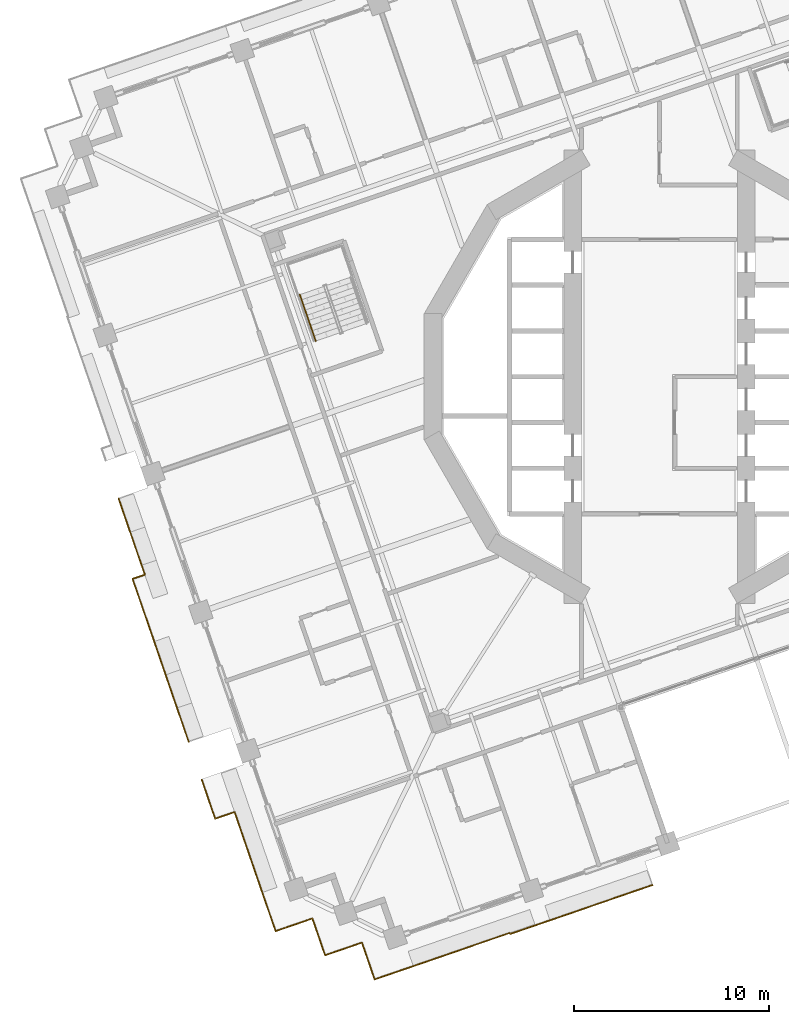
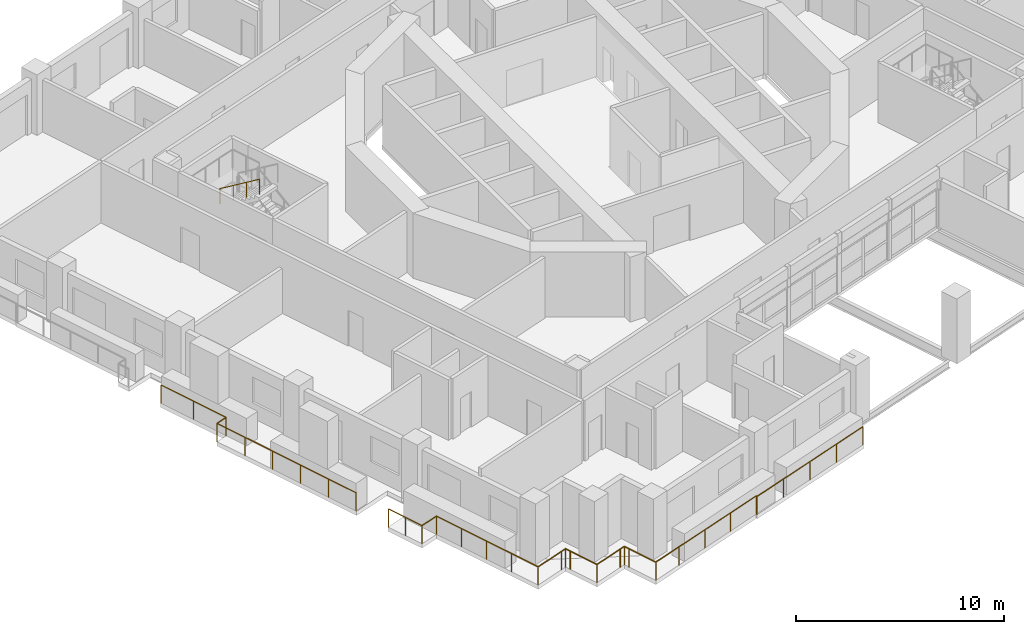
# One storey, part 16 of 22: 5 railings.
"""IFC4 building model written with IfcOpenShell, lengths in metres."""

import ifcopenshell
import ifcopenshell.guid

model = None  # the IFC model being written
_history = None  # IfcOwnerHistory: only IFC2X3 demands one
_inside = {}  # id of a spatial element -> (the spatial element, [elements in it])
_under = {}  # id of a project, library or spatial element -> (it, [spatial elements below it])
_declared = {}  # id of a project -> (the project, [libraries it declares])
_typed = {}  # id of a type object -> (the type object, [elements of that type])
_made_of = {}  # id of a material, layer set ... -> (it, [elements and type objects made of it])


def new_model(schema):
    """Start an empty IFC model of exactly this schema.

    Asked for "IFC4X3", IfcOpenShell would pick the latest addendum, in which some entities
    have other attributes; the version numbers below select the first issue.
    IFC2X3 requires an IfcOwnerHistory on every rooted entity: one is made here for all.
    """
    global model, _history
    if schema == "IFC4X3":
        model = ifcopenshell.file(schema_version=(4, 3, 0, 0))
    else:
        model = ifcopenshell.file(schema=schema)
    _inside.clear()
    _under.clear()
    _declared.clear()
    _typed.clear()
    _made_of.clear()
    _history = None
    if model.schema == "IFC2X3":
        org = make("IfcOrganization", Name="unknown")
        user = make(
            "IfcPersonAndOrganization",
            ThePerson=make("IfcPerson", FamilyName="unknown"),
            TheOrganization=org,
        )
        app = make(
            "IfcApplication",
            ApplicationDeveloper=org,
            Version="unknown",
            ApplicationFullName="unknown",
            ApplicationIdentifier="unknown",
        )
        _history = make(
            "IfcOwnerHistory",
            OwningUser=user,
            OwningApplication=app,
            ChangeAction="ADDED",
            CreationDate=0,
        )
    return model


def make(cls, **values):
    """One entity of the class cls with the attributes given. An attribute that is None is left unset."""
    return model.create_entity(
        cls, **{name: value for name, value in values.items() if value is not None}
    )


def rooted(cls, **values):
    """An entity with a GlobalId (a new one), such as an element, a storey or a relation."""
    return make(cls, GlobalId=ifcopenshell.guid.new(), OwnerHistory=_history, **values)


def si_unit(unit_type, name, prefix=None):
    """IfcSIUnit, for example si_unit("LENGTHUNIT", "METRE", prefix="MILLI")."""
    return make("IfcSIUnit", UnitType=unit_type, Prefix=prefix, Name=name)


def assignment(units):
    """IfcUnitAssignment: the units of a project."""
    return None if units is None else make("IfcUnitAssignment", Units=units)


def point(xyz):
    """IfcCartesianPoint."""
    return None if xyz is None else make("IfcCartesianPoint", Coordinates=xyz)


def direction(xyz):
    """IfcDirection."""
    return None if xyz is None else make("IfcDirection", DirectionRatios=xyz)


def frame(location, z_axis=None, x_axis=None):
    """IfcAxis2Placement3D, a coordinate frame: its origin and axes. An axis left out is left unset."""
    return make(
        "IfcAxis2Placement3D",
        Location=point(location),
        Axis=direction(z_axis),
        RefDirection=direction(x_axis),
    )


def frame_2d(location, x_axis=None):
    """IfcAxis2Placement2D, a coordinate frame in the plane: its origin and x axis."""
    return make(
        "IfcAxis2Placement2D", Location=point(location), RefDirection=direction(x_axis)
    )


def origin():
    """The frame at (0, 0, 0) with its axes left unset."""
    return frame((0.0, 0.0, 0.0))


def origin_2d():
    """The frame at (0, 0) in the plane with its x axis left unset."""
    return frame_2d((0.0, 0.0))


def place(relative_to, where):
    """IfcLocalPlacement: puts the frame where relative to a parent placement (None: the world)."""
    return make(
        "IfcLocalPlacement", PlacementRelTo=relative_to, RelativePlacement=where
    )


def context(
    kind, dimensions, precision=None, world=None, true_north=None, identifier=None
):
    """IfcGeometricRepresentationContext, for example the 3D "Model" context."""
    return make(
        "IfcGeometricRepresentationContext",
        ContextIdentifier=identifier,
        ContextType=kind,
        CoordinateSpaceDimension=dimensions,
        Precision=precision,
        WorldCoordinateSystem=world,
        TrueNorth=true_north,
    )


def subcontext(parent, identifier, kind, view, scale=None):
    """IfcGeometricRepresentationSubContext, for example "Body" below "Model"."""
    return make(
        "IfcGeometricRepresentationSubContext",
        ContextIdentifier=identifier,
        ContextType=kind,
        ParentContext=parent,
        TargetScale=scale,
        TargetView=view,
    )


def project(units=None, contexts=None):
    """IfcProject with its units and contexts."""
    return rooted(
        "IfcProject",
        Name="project",
        RepresentationContexts=contexts,
        UnitsInContext=assignment(units),
    )


def spatial(cls, under=None, at=None, **own):
    """A site, building, storey or space (cls), placed at a placement, below another one or the project."""
    s = rooted(cls, ObjectPlacement=at, **own)
    if under is not None:
        _under.setdefault(under.id(), (under, []))[1].append(s)
    return s


def profile(cls, at=None, kind="AREA", **sizes):
    """A parametric profile (cls). Its sizes go by their IFC names, for example OverallWidth=200.0."""
    return make(cls, ProfileType=kind, Position=at, **sizes)


def circle(**sizes):
    """IfcCircleProfileDef."""
    return profile("IfcCircleProfileDef", **sizes)


def extrude(swept, where, along, depth):
    """IfcExtrudedAreaSolid: the profile swept, set in the frame where, extruded along a direction by depth."""
    return make(
        "IfcExtrudedAreaSolid",
        SweptArea=swept,
        Position=where,
        ExtrudedDirection=direction(along),
        Depth=depth,
    )


def shape(context_of_items, identifier, shape_type, items):
    """IfcShapeRepresentation: the items that make up one representation, for example the "Body"."""
    return make(
        "IfcShapeRepresentation",
        ContextOfItems=context_of_items,
        RepresentationIdentifier=identifier,
        RepresentationType=shape_type,
        Items=items,
    )


def material(Name=None, Category=None):
    """IfcMaterial."""
    return make("IfcMaterial", Name=Name, Category=Category)


def made_of(thing, what):
    """Note that an element or type object is made of a material, layer set ...; save() writes the relation."""
    if what is not None:
        _made_of.setdefault(what.id(), (what, []))[1].append(thing)
    return thing


def type_object(cls, material=None, **own):
    """A type object (cls), such as IfcWallType, which elements share."""
    return made_of(rooted(cls, **own), material)


def element(
    cls,
    number,
    at=None,
    inside=None,
    cuts=None,
    type_object=None,
    material=None,
    context=None,
    identifier="Body",
    shape_type=None,
    held_by="IfcProductDefinitionShape",
    body=None,
    shapes=None,
    **own,
):
    """One element of the class cls, such as IfcWall. Its Tag is "e" and its number.

    at: its placement. inside: the storey or other place that contains it. cuts: it is an
    opening in that element (IfcRelVoidsElement). A single representation is given by context,
    identifier, shape_type and body (its items); several are given by shapes. held_by: the class
    of the entity that holds the representations. save() writes the other relations.
    """
    e = rooted(cls, Tag="e%d" % number, ObjectPlacement=at, **own)
    if body is not None:
        shapes = [shape(context, identifier, shape_type, body)]
    if shapes is not None:
        e.Representation = make(held_by, Representations=shapes)
    if inside is not None:
        _inside.setdefault(inside.id(), (inside, []))[1].append(e)
    if cuts is not None:
        rooted(
            "IfcRelVoidsElement", RelatingBuildingElement=cuts, RelatedOpeningElement=e
        )
    if type_object is not None:
        _typed.setdefault(type_object.id(), (type_object, []))[1].append(e)
    return made_of(e, material)


def aggregate(whole, parts):
    """IfcRelAggregates: a whole, such as a stair, and the parts it consists of."""
    return rooted("IfcRelAggregates", RelatingObject=whole, RelatedObjects=parts)


def save(model, path):
    """Write the relations noted so far, then the file.

    IfcRelAggregates (storeys below a building ...), IfcRelContainedInSpatialStructure (elements
    in a storey), IfcRelDefinesByType, IfcRelAssociatesMaterial and IfcRelDeclares: one each for
    every whole, place, type object, material and project.
    """
    for whole, parts in _under.values():
        aggregate(whole, parts)
    for where, things in _inside.values():
        rooted(
            "IfcRelContainedInSpatialStructure",
            RelatedElements=things,
            RelatingStructure=where,
        )
    for kind, things in _typed.values():
        rooted("IfcRelDefinesByType", RelatedObjects=things, RelatingType=kind)
    for what, things in _made_of.values():
        rooted("IfcRelAssociatesMaterial", RelatedObjects=things, RelatingMaterial=what)
    for by, libraries in _declared.values():
        rooted("IfcRelDeclares", RelatingContext=by, RelatedDefinitions=libraries)
    model.write(path)


model = new_model("IFC4")

# Units and contexts
model_context = context("Model", 3, precision=1e-05, world=origin(), true_north=direction((0.0, 1.0)))
body_context = subcontext(model_context, "Body", "Model", "MODEL_VIEW")
ifc_project = project(units=[si_unit("LENGTHUNIT", "METRE"), si_unit("AREAUNIT", "SQUARE_METRE"), si_unit("VOLUMEUNIT", "CUBIC_METRE"), si_unit("PLANEANGLEUNIT", "RADIAN"), si_unit("MASSUNIT", "GRAM", prefix="KILO")], contexts=[model_context])

# Site, building, storey
site_placement = place(None, origin())
site = spatial("IfcSite", under=ifc_project, at=site_placement, CompositionType="ELEMENT")
building_placement = place(site_placement, origin())
building = spatial("IfcBuilding", under=site, at=building_placement, Name="Cantera Rosa Tower", CompositionType="ELEMENT")
storey_placement = place(building_placement, frame((0.0, 0.0, 107.89990234375)))
storey = spatial("IfcBuildingStorey", under=building, at=storey_placement, Name="L21", CompositionType="ELEMENT", Elevation=107.89990234375)

# Railings
ifc_material_1 = material(Name="Stainless steel and laminated glass", Category="steel")
railing_type_1 = type_object("IfcRailingType", Name="GUARD 1100", PredefinedType="BALUSTRADE", material=ifc_material_1)
railing_1_placement = place(storey_placement, frame((-18.098388671875, -27.9130859375, 0.0)))
element("IfcRailing", 1, at=railing_1_placement, inside=storey, type_object=railing_type_1, Name="GUARD L21-1", PredefinedType="BALUSTRADE", context=body_context, shape_type="SweptSolid", body=[
    extrude(circle(Radius=0.030029296875, at=origin_2d()), frame((0.0, 0.0, 1.070068359375), z_axis=(-0.945520918819, -0.325561349174, 0.0), x_axis=(0.325561349174, -0.945520918819, 0.0)), (0.0, 0.0, 1.0), 1.699951171875),
    extrude(circle(Radius=0.030029296875, at=origin_2d()), frame((-1.607421875, -0.553466796875, 1.070068359375), z_axis=(-0.325561349174, 0.945520918819, 0.0), x_axis=(-0.945520918819, -0.325561349174, 0.0)), (0.0, 0.0, 1.0), 1.699951171875),
    extrude(circle(Radius=0.030029296875, at=origin_2d()), frame((-2.160888671875, 1.053955078125, 1.070068359375), z_axis=(-0.325586514442, 0.94551225355, 0.0), x_axis=(-0.94551225355, -0.325586514442, 0.0)), (0.0, 0.0, 1.0), 4.76611328125),
    extrude(circle(Radius=0.030029296875, at=origin_2d()), frame((-3.712646484375, 5.560302734375, 1.070068359375), z_axis=(-0.945557453336, -0.325455223404, 0.0), x_axis=(0.325455223404, -0.945557453336, 0.0)), (0.0, 0.0, 1.0), 1.053955078125),
    extrude(circle(Radius=0.030029296875, at=origin_2d()), frame((-4.709228515625, 5.21728515625, 1.070068359375), z_axis=(-0.325523047431, 0.945534105991, 0.0), x_axis=(-0.945534105991, -0.325523047431, 0.0)), (0.0, 0.0, 1.0), 2.1240234375),
    extrude(circle(Radius=0.02490234375, at=origin_2d()), origin(), (0.0, 0.0, 1.0), 1.0400390625),
    extrude(circle(Radius=0.02490234375, at=origin_2d()), frame((-1.607421875, -0.553466796875, 0.0)), (0.0, 0.0, 1.0), 1.0400390625),
    extrude(circle(Radius=0.02490234375, at=origin_2d()), frame((-2.160888671875, 1.053955078125, 0.0)), (0.0, 0.0, 1.0), 1.0400390625),
    extrude(circle(Radius=0.02490234375, at=origin_2d()), frame((-2.67822265625, 2.55615234375, 0.0)), (0.0, 0.0, 1.0), 1.0400390625),
    extrude(circle(Radius=0.02490234375, at=origin_2d()), frame((-3.1953125, 4.05810546875, 0.0)), (0.0, 0.0, 1.0), 1.0400390625),
    extrude(circle(Radius=0.02490234375, at=origin_2d()), frame((-3.712646484375, 5.560302734375, 0.0)), (0.0, 0.0, 1.0), 1.0400390625),
    extrude(circle(Radius=0.02490234375, at=origin_2d()), frame((-4.709228515625, 5.21728515625, 0.0)), (0.0, 0.0, 1.0), 1.0400390625),
    extrude(circle(Radius=0.02490234375, at=origin_2d()), frame((-5.054931640625, 6.221435546875, 0.0)), (0.0, 0.0, 1.0), 1.0400390625),
    extrude(circle(Radius=0.02490234375, at=origin_2d()), frame((-5.400634765625, 7.2255859375, 0.0)), (0.0, 0.0, 1.0), 1.0400390625),
])
railing_2_placement = place(storey_placement, frame((-0.3525390625, -26.09814453125, 0.0)))
element("IfcRailing", 2, at=railing_2_placement, inside=storey, type_object=railing_type_1, Name="GUARD L21-2", PredefinedType="BALUSTRADE", context=body_context, shape_type="SweptSolid", body=[
    extrude(circle(Radius=0.030029296875, at=origin_2d()), frame((0.0, 0.0, 1.070068359375), z_axis=(-0.945517189381, -0.325572180299, 0.0), x_axis=(0.325572180299, -0.945517189381, 0.0)), (0.0, 0.0, 1.0), 7.731201171875),
    extrude(circle(Radius=0.030029296875, at=origin_2d()), frame((-7.31005859375, -2.51708984375, 1.070068359375), z_axis=(-0.325745820547, 0.945457381587, 0.0), x_axis=(-0.945457381587, -0.325745820547, 0.0)), (0.0, 0.0, 1.0), 0.0615234375),
    extrude(circle(Radius=0.030029296875, at=origin_2d()), frame((-7.330078125, -2.458984375, 1.070068359375), z_axis=(-0.945524258857, -0.32555164861, 0.0), x_axis=(0.32555164861, -0.945524258857, 0.0)), (0.0, 0.0, 1.0), 5.638671875),
    extrude(circle(Radius=0.030029296875, at=origin_2d()), frame((-12.66162109375, -4.294677734375, 1.070068359375), z_axis=(-0.945520918819, -0.325561349174, 0.0), x_axis=(0.325561349174, -0.945520918819, 0.0)), (0.0, 0.0, 1.0), 1.699951171875),
    extrude(circle(Radius=0.030029296875, at=origin_2d()), frame((-14.26904296875, -4.84814453125, 1.070068359375), z_axis=(-0.325561349174, 0.945520918819, 0.0), x_axis=(-0.945520918819, -0.325561349174, 0.0)), (0.0, 0.0, 1.0), 1.699951171875),
    extrude(circle(Radius=0.030029296875, at=origin_2d()), frame((-14.822509765625, -3.24072265625, 1.070068359375), z_axis=(-0.325489086777, 0.945545797087, 0.0), x_axis=(-0.945545797087, -0.325489086777, 0.0)), (0.0, 0.0, 1.0), 0.300048828125),
    extrude(circle(Radius=0.030029296875, at=origin_2d()), frame((-14.920166015625, -2.95703125, 1.070068359375), z_axis=(-0.945459489149, -0.325739703411, 0.0), x_axis=(0.325739703411, -0.945459489149, 0.0)), (0.0, 0.0, 1.0), 0.2998046875),
    extrude(circle(Radius=0.030029296875, at=origin_2d()), frame((-15.20361328125, -3.0546875, 1.070068359375), z_axis=(-0.945520918819, -0.325561349174, 0.0), x_axis=(0.325561349174, -0.945520918819, 0.0)), (0.0, 0.0, 1.0), 1.699951171875),
    extrude(circle(Radius=0.030029296875, at=origin_2d()), frame((-16.81103515625, -3.608154296875, 1.070068359375), z_axis=(-0.325605561237, 0.945505694584, 0.0), x_axis=(-0.945505694584, -0.325605561237, 0.0)), (0.0, 0.0, 1.0), 1.69970703125),
    extrude(circle(Radius=0.030029296875, at=origin_2d()), frame((-17.364501953125, -2.0009765625, 1.070068359375), z_axis=(-0.325489086777, 0.945545797087, 0.0), x_axis=(-0.945545797087, -0.325489086777, 0.0)), (0.0, 0.0, 1.0), 0.300048828125),
    extrude(circle(Radius=0.030029296875, at=origin_2d()), frame((-17.462158203125, -1.71728515625, 1.070068359375), z_axis=(-0.945545797087, -0.325489086777, 0.0), x_axis=(0.325489086777, -0.945545797087, 0.0)), (0.0, 0.0, 1.0), 0.300048828125),
    extrude(circle(Radius=0.02490234375, at=origin_2d()), origin(), (0.0, 0.0, 1.0), 1.0400390625),
    extrude(circle(Radius=0.02490234375, at=origin_2d()), frame((-1.82763671875, -0.62939453125, 0.0)), (0.0, 0.0, 1.0), 1.0400390625),
    extrude(circle(Radius=0.02490234375, at=origin_2d()), frame((-3.655029296875, -1.258544921875, 0.0)), (0.0, 0.0, 1.0), 1.0400390625),
    extrude(circle(Radius=0.02490234375, at=origin_2d()), frame((-5.482421875, -1.8876953125, 0.0)), (0.0, 0.0, 1.0), 1.0400390625),
    extrude(circle(Radius=0.02490234375, at=origin_2d()), frame((-7.31005859375, -2.51708984375, 0.0)), (0.0, 0.0, 1.0), 1.0400390625),
    extrude(circle(Radius=0.02490234375, at=origin_2d()), frame((-7.330078125, -2.458984375, 0.0)), (0.0, 0.0, 1.0), 1.0400390625),
    extrude(circle(Radius=0.02490234375, at=origin_2d()), frame((-9.107177734375, -3.07080078125, 0.0)), (0.0, 0.0, 1.0), 1.0400390625),
    extrude(circle(Radius=0.02490234375, at=origin_2d()), frame((-10.884521484375, -3.682861328125, 0.0)), (0.0, 0.0, 1.0), 1.0400390625),
    extrude(circle(Radius=0.02490234375, at=origin_2d()), frame((-12.66162109375, -4.294677734375, 0.0)), (0.0, 0.0, 1.0), 1.0400390625),
    extrude(circle(Radius=0.02490234375, at=origin_2d()), frame((-14.26904296875, -4.84814453125, 0.0)), (0.0, 0.0, 1.0), 1.0400390625),
    extrude(circle(Radius=0.02490234375, at=origin_2d()), frame((-14.822509765625, -3.24072265625, 0.0)), (0.0, 0.0, 1.0), 1.0400390625),
    extrude(circle(Radius=0.02490234375, at=origin_2d()), frame((-14.920166015625, -2.95703125, 0.0)), (0.0, 0.0, 1.0), 1.0400390625),
    extrude(circle(Radius=0.02490234375, at=origin_2d()), frame((-15.20361328125, -3.0546875, 0.0)), (0.0, 0.0, 1.0), 1.0400390625),
    extrude(circle(Radius=0.02490234375, at=origin_2d()), frame((-16.81103515625, -3.608154296875, 0.0)), (0.0, 0.0, 1.0), 1.0400390625),
    extrude(circle(Radius=0.02490234375, at=origin_2d()), frame((-17.364501953125, -2.0009765625, 0.0)), (0.0, 0.0, 1.0), 1.0400390625),
    extrude(circle(Radius=0.02490234375, at=origin_2d()), frame((-17.462158203125, -1.71728515625, 0.0)), (0.0, 0.0, 1.0), 1.0400390625),
    extrude(circle(Radius=0.02490234375, at=origin_2d()), frame((-17.745849609375, -1.81494140625, 0.0)), (0.0, 0.0, 1.0), 1.0400390625),
])
railing_3_placement = place(storey_placement, frame((-26.42041015625, -10.161376953125, 0.0)))
element("IfcRailing", 3, at=railing_3_placement, inside=storey, type_object=railing_type_1, Name="GUARD L21-3", PredefinedType="BALUSTRADE", context=body_context, shape_type="SweptSolid", body=[
    extrude(circle(Radius=0.030029296875, at=origin_2d()), frame((0.0, 0.0, 1.070068359375), z_axis=(-0.325526781046, 0.945532820595, 0.0), x_axis=(-0.945532820595, -0.325526781046, 0.0)), (0.0, 0.0, 1.0), 4.13623046875),
    extrude(circle(Radius=0.02490234375, at=origin_2d()), origin(), (0.0, 0.0, 1.0), 1.0400390625),
    extrude(circle(Radius=0.02490234375, at=origin_2d()), frame((-0.67333984375, 1.95556640625, 0.0)), (0.0, 0.0, 1.0), 1.0400390625),
    extrude(circle(Radius=0.02490234375, at=origin_2d()), frame((-1.346435546875, 3.910888671875, 0.0)), (0.0, 0.0, 1.0), 1.0400390625),
])
railing_4_placement = place(storey_placement, frame((-24.169677734375, -18.73974609375, 0.0)))
element("IfcRailing", 4, at=railing_4_placement, inside=storey, type_object=railing_type_1, Name="GUARD L21-4", PredefinedType="BALUSTRADE", context=body_context, shape_type="SweptSolid", body=[
    extrude(circle(Radius=0.030029296875, at=origin_2d()), frame((0.0, 0.0, 1.070068359375), z_axis=(-0.325578887948, 0.945514879694, 0.0), x_axis=(-0.945514879694, -0.325578887948, 0.0)), (0.0, 0.0, 1.0), 8.843994140625),
    extrude(circle(Radius=0.030029296875, at=origin_2d()), frame((-2.87939453125, 8.362060546875, 1.070068359375), z_axis=(0.945591306029, 0.325356853259, 0.0), x_axis=(-0.325356853259, 0.945591306029, 0.0)), (0.0, 0.0, 1.0), 0.664794921875),
    extrude(circle(Radius=0.02490234375, at=origin_2d()), origin(), (0.0, 0.0, 1.0), 1.0400390625),
    extrude(circle(Radius=0.02490234375, at=origin_2d()), frame((-0.575927734375, 1.67236328125, 0.0)), (0.0, 0.0, 1.0), 1.0400390625),
    extrude(circle(Radius=0.02490234375, at=origin_2d()), frame((-1.15185546875, 3.3447265625, 0.0)), (0.0, 0.0, 1.0), 1.0400390625),
    extrude(circle(Radius=0.02490234375, at=origin_2d()), frame((-1.7275390625, 5.017333984375, 0.0)), (0.0, 0.0, 1.0), 1.0400390625),
    extrude(circle(Radius=0.02490234375, at=origin_2d()), frame((-2.303466796875, 6.689697265625, 0.0)), (0.0, 0.0, 1.0), 1.0400390625),
    extrude(circle(Radius=0.02490234375, at=origin_2d()), frame((-2.87939453125, 8.362060546875, 0.0)), (0.0, 0.0, 1.0), 1.0400390625),
    extrude(circle(Radius=0.02490234375, at=origin_2d()), frame((-2.250732421875, 8.578369140625, 0.0)), (0.0, 0.0, 1.0), 1.0400390625),
])
ifc_material_2 = material(Name="Steel S355J2 (EN 10025-2)", Category="steel")
railing_type_2 = type_object("IfcRailingType", Name="STAIR HANDRAIL 900", PredefinedType="HANDRAIL", material=ifc_material_2)
railing_5_placement = place(storey_placement, frame((-18.46484375, 4.21142578125, 2.090087890625)))
element("IfcRailing", 5, at=railing_5_placement, inside=storey, type_object=railing_type_2, Name="L21 ST-22 stair handrail 2", PredefinedType="HANDRAIL", context=body_context, shape_type="SweptSolid", body=[
    extrude(circle(Radius=0.02392578125, at=origin_2d()), frame((0.0, 0.0, 0.8759765625), z_axis=(0.269432418223, -0.782404165978, 0.561471186323), x_axis=(0.94550776501, 0.325599548996, 0.0)), (0.0, 0.0, 1.0), 3.04541015625),
    extrude(circle(Radius=0.02099609375, at=origin_2d()), origin(), (0.0, 0.0, 1.0), 0.851806640625),
    extrude(circle(Radius=0.02099609375, at=origin_2d()), frame((0.2734375, -0.794189453125, 0.570068359375)), (0.0, 0.0, 1.0), 0.851806640625),
    extrude(circle(Radius=0.02099609375, at=origin_2d()), frame((0.547119140625, -1.588623046875, 1.139892578125)), (0.0, 0.0, 1.0), 0.851806640625),
    extrude(circle(Radius=0.02099609375, at=origin_2d()), frame((0.820556640625, -2.3828125, 1.7099609375)), (0.0, 0.0, 1.0), 0.851806640625),
])

save(model, "model.ifc")
